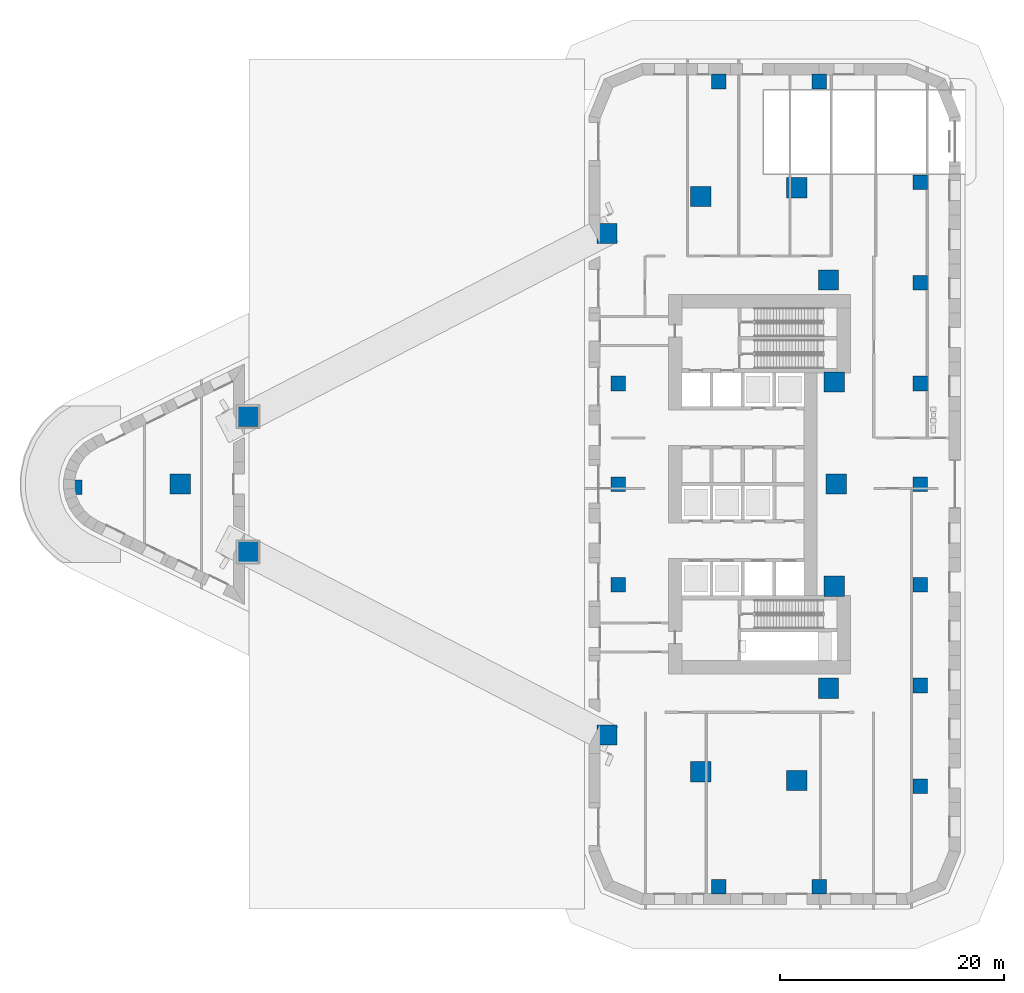
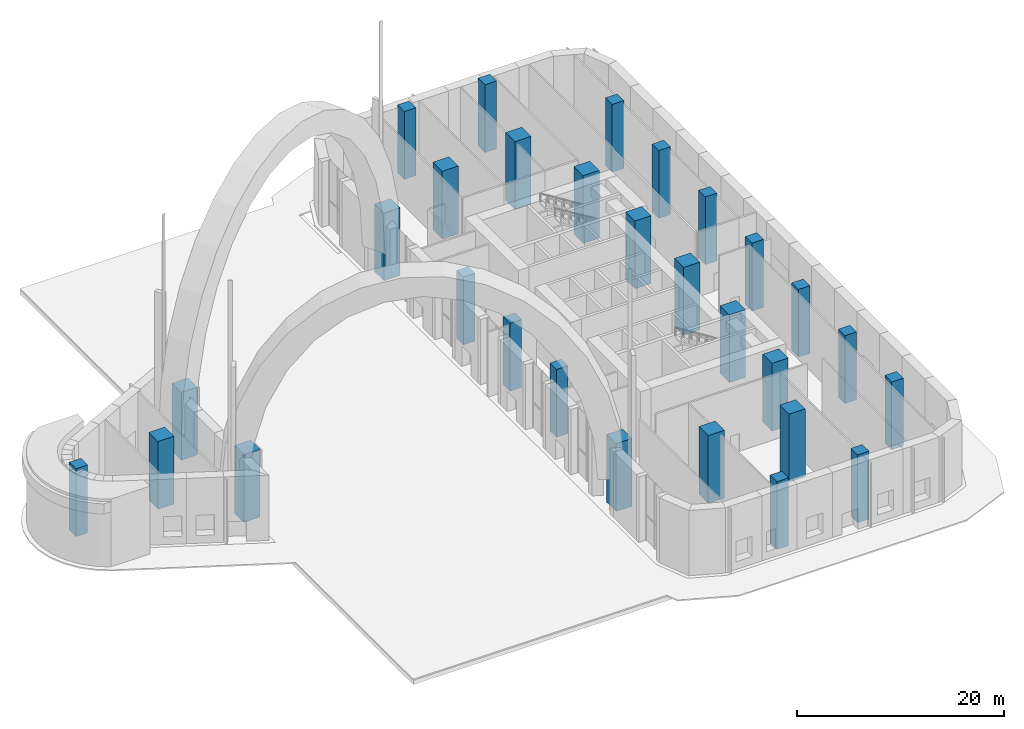
# One storey, part 1 of 22: 29 columns.
"""IFC4 building model written with IfcOpenShell, lengths in metres."""

from ifc_helpers import new_model, si_unit, direction, frame, origin, origin_2d, place, context, subcontext, project, spatial, rectangle, extrude, material, material_profile, profile_set, type_object, element, save


model = new_model("IFC4")

# Units and contexts
model_context = context("Model", 3, precision=1e-05, world=origin(), true_north=direction((0.0, 1.0)))
body_context = subcontext(model_context, "Body", "Model", "MODEL_VIEW")
ifc_project = project(units=[si_unit("LENGTHUNIT", "METRE"), si_unit("AREAUNIT", "SQUARE_METRE"), si_unit("VOLUMEUNIT", "CUBIC_METRE"), si_unit("PLANEANGLEUNIT", "RADIAN"), si_unit("MASSUNIT", "GRAM", prefix="KILO")], contexts=[model_context])

# Site, building, storey
site_placement = place(None, origin())
site = spatial("IfcSite", under=ifc_project, at=site_placement, CompositionType="ELEMENT")
building_placement = place(site_placement, origin())
building = spatial("IfcBuilding", under=site, at=building_placement, Name="Ostrand Prow Hotel Tower", CompositionType="ELEMENT")
storey_placement = place(building_placement, origin())
storey = spatial("IfcBuildingStorey", under=building, at=storey_placement, Name="L00", CompositionType="ELEMENT", Elevation=0.0)

# Columns
ifc_material_1 = material(Name="Concrete C60/75", Category="concrete")
ifc_material_profile_1 = material_profile(ifc_material_1, rectangle(XDim=1.300048828125, YDim=1.300048828125, at=origin_2d()), Name="RC 1300x1300")
ifc_profile_set_1 = profile_set([ifc_material_profile_1], Name="Concrete C60/75")
column_type_1 = type_object("IfcColumnType", Name="Interior column 1300x1300 C60/75", PredefinedType="COLUMN", material=ifc_profile_set_1)
for number, where, z_axis, x_axis, name in (
    (1, (-3.573974609375, -0.262939453125, 0.0), (0.0, 0.0, 1.0), (1.0, 0.0, 0.0), "Interior column W4S0"),
    (2, (45.0, -9.0, 0.0), (0.0, 0.0, 1.0), (1.0, 0.0, 0.0), "Interior column 45S9"),
    (3, (45.0, 0.0, 0.0), (0.0, 0.0, 1.0), (1.0, 0.0, 0.0), "Interior column 45C0"),
    (4, (45.0, 9.0, 0.0), (0.0, 0.0, 1.0), (1.0, 0.0, 0.0), "Interior column 45N9"),
    (5, (54.0, -36.0, 0.0), (0.0, 0.0, 1.0), (1.0, 0.0, 0.0), "Interior column 54S36"),
    (6, (54.0, 36.0, 0.0), (0.0, 0.0, 1.0), (1.0, 0.0, 0.0), "Interior column 54N36"),
    (7, (63.0, -36.0, 0.0), (0.0, 0.0, 1.0), (1.0, 0.0, 0.0), "Interior column 63S36"),
    (8, (63.0, 36.0, 0.0), (0.0, 0.0, 1.0), (1.0, 0.0, 0.0), "Interior column 63N36"),
    (9, (72.0, -27.0, 0.0), (0.0, 0.0, 1.0), (1.0, 0.0, 0.0), "Interior column 72S27"),
    (10, (72.0, -18.0, 0.0), (0.0, 0.0, 1.0), (1.0, 0.0, 0.0), "Interior column 72S18"),
    (11, (72.0, -9.0, 0.0), (0.0, 0.0, 1.0), (1.0, 0.0, 0.0), "Interior column 72S9"),
    (12, (72.0, 0.0, 0.0), (0.0, 0.0, 1.0), (1.0, 0.0, 0.0), "Interior column 72C0"),
    (13, (72.0, 9.0, 0.0), (0.0, 0.0, 1.0), (1.0, 0.0, 0.0), "Interior column 72N9"),
    (14, (72.0, 18.0, 0.0), (0.0, 0.0, 1.0), (1.0, 0.0, 0.0), "Interior column 72N18"),
    (15, (72.0, 27.0, 0.0), (0.0, 0.0, 1.0), (1.0, 0.0, 0.0), "Interior column 72N27"),
):
    element("IfcColumn", number, at=place(storey_placement, frame(where, z_axis=z_axis, x_axis=x_axis)), inside=storey, type_object=column_type_1, Name=name, PredefinedType="COLUMN", context=body_context, shape_type="SweptSolid", body=[
        extrude(rectangle(XDim=1.300048828125, YDim=1.300048828125, at=origin_2d()), origin(), (0.0, 0.0, 1.0), 8.0),
    ])
ifc_material_2 = material(Name="Concrete C60/75", Category="concrete")
ifc_material_profile_2 = material_profile(ifc_material_2, rectangle(XDim=1.800048828125, YDim=1.800048828125, at=origin_2d()), Name="RC 1800x1800")
ifc_profile_set_2 = profile_set([ifc_material_profile_2], Name="Concrete C60/75")
column_type_2 = type_object("IfcColumnType", Name="Stone-faced mega column 1800x1800 C60/75", PredefinedType="COLUMN", material=ifc_profile_set_2)
for number, where, z_axis, x_axis, name in (
    (16, (5.848388671875, 0.0, 0.0), (0.0, 0.0, 1.0), (1.0, 0.0, 0.0), "Mega column P"),
    (17, (11.926513671875, -6.0419921875, 0.0), (0.0, 0.0, 1.0), (1.0, 0.0, 0.0), "Mega column S1"),
    (18, (43.997802734375, -22.427978515625, 0.0), (0.0, 0.0, 1.0), (1.0, 0.0, 0.0), "Mega column S5"),
    (19, (52.3916015625, -25.710205078125, 0.0), (0.0, 0.0, 1.0), (1.0, 0.0, 0.0), "Mega column S6"),
    (20, (60.966064453125, -26.49853515625, 0.0), (0.0, 0.0, 1.0), (1.0, 0.0, 0.0), "Mega column SE"),
    (21, (63.8134765625, -18.248779296875, 0.0), (0.0, 0.0, 1.0), (1.0, 0.0, 0.0), "Mega column B1"),
    (22, (64.328369140625, -9.130859375, 0.0), (0.0, 0.0, 1.0), (1.0, 0.0, 0.0), "Mega column B2"),
    (23, (64.5, 0.0, 0.0), (0.0, 0.0, 1.0), (1.0, 0.0, 0.0), "Mega column B3"),
    (24, (64.328369140625, 9.130859375, 0.0), (0.0, 0.0, 1.0), (1.0, 0.0, 0.0), "Mega column B4"),
    (25, (63.8134765625, 18.248779296875, 0.0), (0.0, 0.0, 1.0), (1.0, 0.0, 0.0), "Mega column B5"),
    (26, (60.966064453125, 26.49853515625, 0.0), (0.0, 0.0, 1.0), (1.0, 0.0, 0.0), "Mega column NE"),
    (27, (52.3916015625, 25.710205078125, 0.0), (0.0, 0.0, 1.0), (1.0, 0.0, 0.0), "Mega column N1"),
    (28, (43.997802734375, 22.427978515625, 0.0), (0.0, 0.0, 1.0), (1.0, 0.0, 0.0), "Mega column N2"),
    (29, (11.926513671875, 6.0419921875, 0.0), (0.0, 0.0, 1.0), (1.0, 0.0, 0.0), "Mega column N6"),
):
    element("IfcColumn", number, at=place(storey_placement, frame(where, z_axis=z_axis, x_axis=x_axis)), inside=storey, type_object=column_type_2, Name=name, PredefinedType="COLUMN", context=body_context, shape_type="SweptSolid", body=[
        extrude(rectangle(XDim=1.800048828125, YDim=1.800048828125, at=origin_2d()), origin(), (0.0, 0.0, 1.0), 8.0),
    ])

save(model, "model.ifc")
